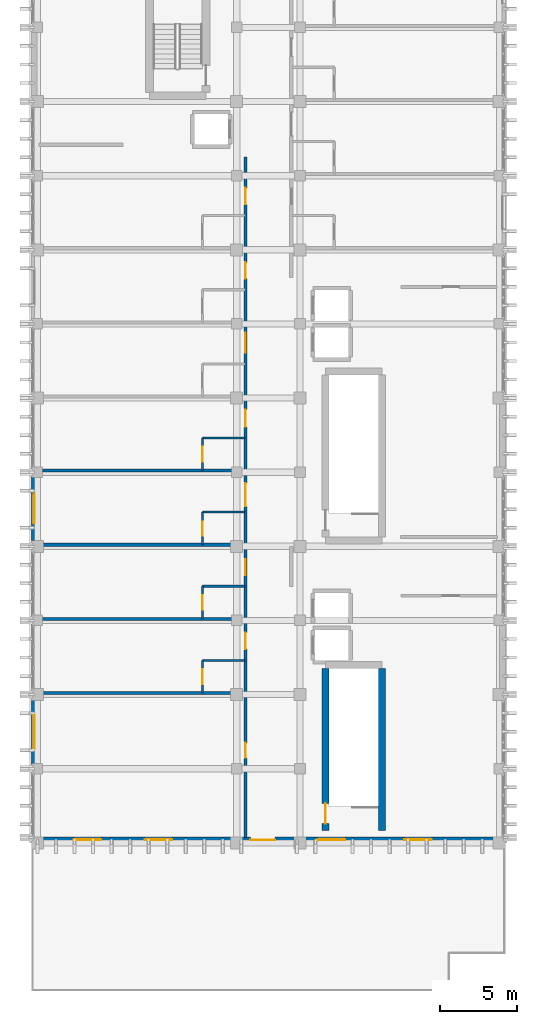
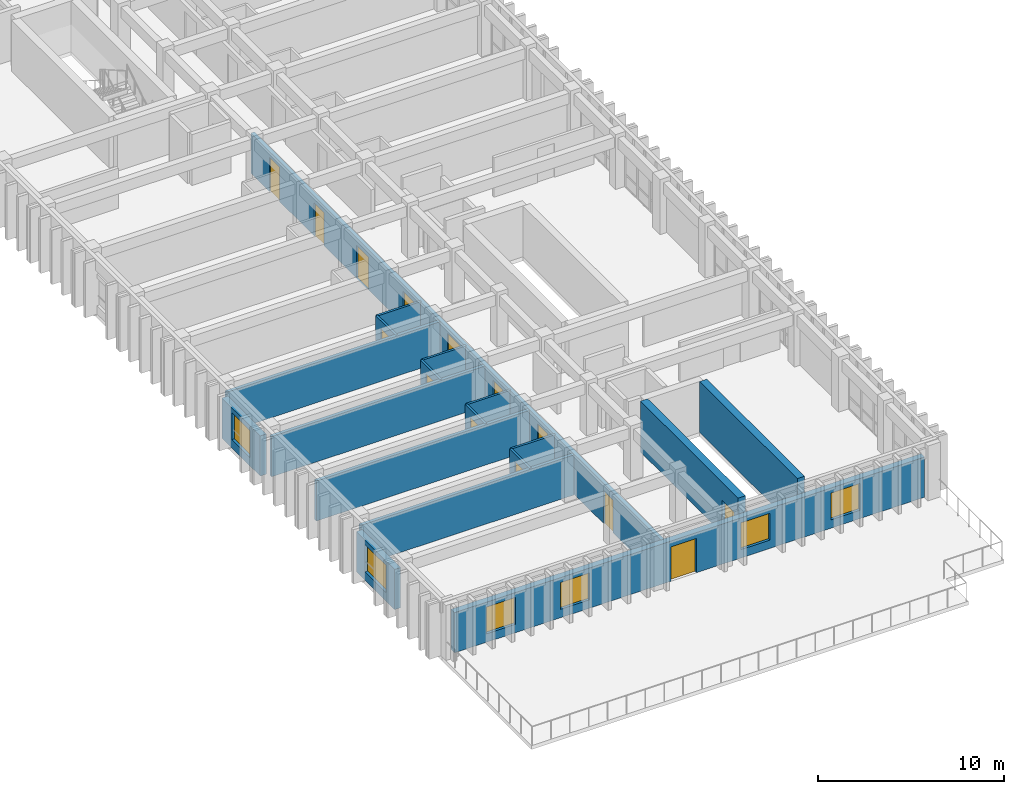
# One storey, part 55 of 68: 18 walls, 14 doors, 6 windows, 20 openings.
"""IFC4 building model written with IfcOpenShell, lengths in metres."""

from ifc_helpers import new_model, si_unit, direction, frame, frame_2d, origin, place, context, subcontext, project, spatial, rectangle, extrude, material, layer, layer_set, type_object, element, fill, save


model = new_model("IFC4")

# Units and contexts
model_context = context("Model", 3, precision=1e-05, world=origin(), true_north=direction((0.0, 1.0)))
body_context = subcontext(model_context, "Body", "Model", "MODEL_VIEW")
ifc_project = project(units=[si_unit("LENGTHUNIT", "METRE"), si_unit("AREAUNIT", "SQUARE_METRE"), si_unit("VOLUMEUNIT", "CUBIC_METRE"), si_unit("PLANEANGLEUNIT", "RADIAN"), si_unit("MASSUNIT", "GRAM", prefix="KILO")], contexts=[model_context])

# Site, building, storey
site_placement = place(None, origin())
site = spatial("IfcSite", under=ifc_project, at=site_placement, CompositionType="ELEMENT")
building_placement = place(site_placement, origin())
building = spatial("IfcBuilding", under=site, at=building_placement, Name="Nakhvara Creek Congress Hotel", CompositionType="ELEMENT")
storey_placement = place(building_placement, frame((0.0, 0.0, 24.60009765625)))
storey = spatial("IfcBuildingStorey", under=building, at=storey_placement, Name="L05", CompositionType="ELEMENT", Elevation=24.60009765625)

# Wall, opening, door
ifc_material_1 = material(Name="Concrete C50/60", Category="concrete")
ifc_layer_1 = layer(ifc_material_1, 0.449951171875)
ifc_layer_set_1 = layer_set([ifc_layer_1], Name="Concrete C50/60")
wall_type_1 = type_object("IfcWallType", Name="W-CORE-450", PredefinedType="SHEAR", material=ifc_layer_set_1)
wall_1_placement = place(storey_placement, frame((168.10009765625, 29.60009765625, 0.0), z_axis=(0.0, 0.0, 1.0), x_axis=(0.0, 1.0, 0.0)))
wall_1 = element("IfcWall", 1, at=wall_1_placement, inside=storey, type_object=wall_type_1, Name="Core Shear Wall WS02-CWALL-L05-0612", PredefinedType="SHEAR", context=body_context, shape_type="SweptSolid", body=[
    extrude(rectangle(XDim=10.5, YDim=0.449951171875, at=frame_2d((5.25, 0.0))), origin(), (0.0, 0.0, 1.0), 3.33984375),
])
opening_1_placement = place(wall_1_placement, frame((0.449951171875, 0.0, 0.0)))
opening_1 = element("IfcOpeningElement", 2, at=opening_1_placement, cuts=wall_1, Name="Opening FD04", PredefinedType="OPENING", context=body_context, shape_type="SweptSolid", body=[
    extrude(rectangle(XDim=1.300048828125, YDim=2.14990234375, at=frame_2d((0.64990234375, 1.074951171875))), frame((0.0, 0.23681640625, 0.0), z_axis=(0.0, -1.0, 0.0), x_axis=(1.0, 0.0, 0.0)), (0.0, 0.0, 1.0), 0.473876953125),
])
ifc_material_2 = material(Name="Powder-coated steel fire door", Category="steel")
door_type_1 = type_object("IfcDoorType", Name="DT-STAIR-130", OperationType="NOTDEFINED", PredefinedType="DOOR", material=ifc_material_2)
door_1_placement = place(opening_1_placement, origin())
door_1 = element("IfcDoor", 3, at=door_1_placement, inside=storey, type_object=door_type_1, Name="Stair Exit Door ST03-L05", OperationType="SINGLE_SWING_RIGHT", OverallHeight=2.14990234375, OverallWidth=1.300048828125, PredefinedType="DOOR", context=body_context, shape_type="SweptSolid", body=[
    extrude(rectangle(XDim=1.300048828125, YDim=2.14990234375, at=frame_2d((0.64990234375, 1.074951171875))), frame((0.0, 0.02490234375, 0.0), z_axis=(0.0, -1.0, 0.0), x_axis=(1.0, 0.0, 0.0)), (0.0, 0.0, 1.0), 0.050048828125),
])
fill(opening_1, door_1)

# Wall
wall_2_placement = place(storey_placement, frame((171.77001953125, 29.60009765625, 0.0), z_axis=(0.0, 0.0, 1.0), x_axis=(0.0, 1.0, 0.0)))
element("IfcWall", 4, at=wall_2_placement, inside=storey, type_object=wall_type_1, Name="Core Shear Wall WS02-CWALL-L05-0613", PredefinedType="SHEAR", context=body_context, shape_type="SweptSolid", body=[
    extrude(rectangle(XDim=10.5, YDim=0.449951171875, at=frame_2d((5.25, 0.0))), origin(), (0.0, 0.0, 1.0), 3.33984375),
])

# Wall, openings, doors
ifc_material_3 = material(Name="Gypsum acoustic board on steel stud", Category="steel")
ifc_layer_2 = layer(ifc_material_3, 0.219970703125)
ifc_layer_set_2 = layer_set([ifc_layer_2], Name="Gypsum acoustic board on steel stud")
wall_type_2 = type_object("IfcWallType", Name="W-CORR-220", PredefinedType="PARTITIONING", material=ifc_layer_set_2)
wall_3_placement = place(storey_placement, frame((162.919921875, 29.14990234375, 0.0), z_axis=(0.0, 0.0, 1.0), x_axis=(0.0, 1.0, 0.0)))
wall_3 = element("IfcWall", 5, at=wall_3_placement, inside=storey, type_object=wall_type_2, Name="Interior Wall WP11-IW-L05-0367", PredefinedType="PARTITIONING", context=body_context, shape_type="SweptSolid", body=[
    extrude(rectangle(XDim=44.050048828125, YDim=0.219970703125, at=frame_2d((22.02490234375, 0.0))), origin(), (0.0, 0.0, 1.0), 2.6318359375),
])
opening_2_placement = place(wall_3_placement, frame((5.14990234375, 0.0, 0.0)))
opening_2 = element("IfcOpeningElement", 6, at=opening_2_placement, cuts=wall_3, Name="Opening MD03", PredefinedType="OPENING", context=body_context, shape_type="SweptSolid", body=[
    extrude(rectangle(XDim=0.97998046875, YDim=2.14990234375, at=frame_2d((0.489990234375, 1.074951171875))), frame((0.0, 0.1220703125, 0.0), z_axis=(0.0, -1.0, 0.0), x_axis=(1.0, 0.0, 0.0)), (0.0, 0.0, 1.0), 0.243896484375),
])
opening_3_placement = place(wall_3_placement, frame((12.18798828125, 0.0, 0.0)))
opening_3 = element("IfcOpeningElement", 7, at=opening_3_placement, cuts=wall_3, Name="Opening GD02", PredefinedType="OPENING", context=body_context, shape_type="SweptSolid", body=[
    extrude(rectangle(XDim=1.080078125, YDim=2.25, at=frame_2d((0.5400390625, 1.125))), frame((0.0, 0.1220703125, 0.0), z_axis=(0.0, -1.0, 0.0), x_axis=(1.0, 0.0, 0.0)), (0.0, 0.0, 1.0), 0.243896484375),
])
opening_4_placement = place(wall_3_placement, frame((16.988037109375, 0.0, 0.0)))
opening_4 = element("IfcOpeningElement", 8, at=opening_4_placement, cuts=wall_3, Name="Opening GD01", PredefinedType="OPENING", context=body_context, shape_type="SweptSolid", body=[
    extrude(rectangle(XDim=1.02001953125, YDim=2.199951171875, at=frame_2d((0.510009765625, 1.10009765625))), frame((0.0, 0.1220703125, 0.0), z_axis=(0.0, -1.0, 0.0), x_axis=(1.0, 0.0, 0.0)), (0.0, 0.0, 1.0), 0.243896484375),
])
opening_5_placement = place(wall_3_placement, frame((21.43798828125, 0.0, 0.0)))
opening_5 = element("IfcOpeningElement", 9, at=opening_5_placement, cuts=wall_3, Name="Opening GD03", PredefinedType="OPENING", context=body_context, shape_type="SweptSolid", body=[
    extrude(rectangle(XDim=1.5, YDim=2.300048828125, at=frame_2d((0.75, 1.14990234375))), frame((0.0, 0.1220703125, 0.0), z_axis=(0.0, -1.0, 0.0), x_axis=(1.0, 0.0, 0.0)), (0.0, 0.0, 1.0), 0.243896484375),
])
opening_6_placement = place(wall_3_placement, frame((26.587890625, 0.0, 0.0)))
opening_6 = element("IfcOpeningElement", 10, at=opening_6_placement, cuts=wall_3, Name="Opening BD01", PredefinedType="OPENING", context=body_context, shape_type="SweptSolid", body=[
    extrude(rectangle(XDim=1.1201171875, YDim=2.14990234375, at=frame_2d((0.56005859375, 1.074951171875))), frame((0.0, 0.1220703125, 0.0), z_axis=(0.0, -1.0, 0.0), x_axis=(1.0, 0.0, 0.0)), (0.0, 0.0, 1.0), 0.243896484375),
])
opening_7_placement = place(wall_3_placement, frame((31.387939453125, 0.0, 0.0)))
opening_7 = element("IfcOpeningElement", 11, at=opening_7_placement, cuts=wall_3, Name="Opening ID07", PredefinedType="OPENING", context=body_context, shape_type="SweptSolid", body=[
    extrude(rectangle(XDim=1.280029296875, YDim=2.159912109375, at=frame_2d((0.64013671875, 1.080078125))), frame((0.0, 0.1220703125, 0.0), z_axis=(0.0, -1.0, 0.0), x_axis=(1.0, 0.0, 0.0)), (0.0, 0.0, 1.0), 0.243896484375),
])
opening_8_placement = place(wall_3_placement, frame((36.18798828125, 0.0, 0.0)))
opening_8 = element("IfcOpeningElement", 12, at=opening_8_placement, cuts=wall_3, Name="Opening ID04", PredefinedType="OPENING", context=body_context, shape_type="SweptSolid", body=[
    extrude(rectangle(XDim=1.050048828125, YDim=2.179931640625, at=frame_2d((0.52490234375, 1.08984375))), frame((0.0, 0.1220703125, 0.0), z_axis=(0.0, -1.0, 0.0), x_axis=(1.0, 0.0, 0.0)), (0.0, 0.0, 1.0), 0.243896484375),
])
opening_9_placement = place(wall_3_placement, frame((40.988037109375, 0.0, 0.0)))
opening_9 = element("IfcOpeningElement", 13, at=opening_9_placement, cuts=wall_3, Name="Opening GD02", PredefinedType="OPENING", context=body_context, shape_type="SweptSolid", body=[
    extrude(rectangle(XDim=1.080078125, YDim=2.25, at=frame_2d((0.5400390625, 1.125))), frame((0.0, 0.1220703125, 0.0), z_axis=(0.0, -1.0, 0.0), x_axis=(1.0, 0.0, 0.0)), (0.0, 0.0, 1.0), 0.243896484375),
])
ifc_material_4 = material(Name="Brushed stainless-clad BOH door")
door_type_2 = type_object("IfcDoorType", Name="DT-BOH-128", OperationType="NOTDEFINED", PredefinedType="DOOR", material=ifc_material_4)
door_2_placement = place(opening_7_placement, frame((1.280029296875, 0.0, 0.0), z_axis=(0.0, 0.0, 1.0), x_axis=(-1.0, 0.0, 0.0)))
door_2 = element("IfcDoor", 14, at=door_2_placement, inside=storey, type_object=door_type_2, Name="Interior Door ID07-0316", OperationType="SINGLE_SWING_LEFT", OverallHeight=2.159912109375, OverallWidth=1.280029296875, PredefinedType="DOOR", context=body_context, shape_type="SweptSolid", body=[
    extrude(rectangle(XDim=1.280029296875, YDim=2.159912109375, at=frame_2d((0.64013671875, 1.080078125))), frame((0.0, 0.02490234375, 0.0), z_axis=(0.0, -1.0, 0.0), x_axis=(1.0, 0.0, 0.0)), (0.0, 0.0, 1.0), 0.050048828125),
])
fill(opening_7, door_2)
ifc_material_5 = material(Name="Walnut hardwood timber fire door", Category="wood")
door_type_3 = type_object("IfcDoorType", Name="DT-GUEST-102", OperationType="NOTDEFINED", PredefinedType="DOOR", material=ifc_material_5)
door_3_placement = place(opening_4_placement, frame((1.02001953125, 0.0, 0.0), z_axis=(0.0, 0.0, 1.0), x_axis=(-1.0, 0.0, 0.0)))
door_3 = element("IfcDoor", 15, at=door_3_placement, inside=storey, type_object=door_type_3, Name="Interior Door GD01-0310", OperationType="SINGLE_SWING_LEFT", OverallHeight=2.199951171875, OverallWidth=1.02001953125, PredefinedType="DOOR", context=body_context, shape_type="SweptSolid", body=[
    extrude(rectangle(XDim=1.02001953125, YDim=2.199951171875, at=frame_2d((0.510009765625, 1.10009765625))), frame((0.0, 0.02490234375, 0.0), z_axis=(0.0, -1.0, 0.0), x_axis=(1.0, 0.0, 0.0)), (0.0, 0.0, 1.0), 0.050048828125),
])
fill(opening_4, door_3)
door_type_4 = type_object("IfcDoorType", Name="DT-GUEST-108", OperationType="NOTDEFINED", PredefinedType="DOOR", material=ifc_material_5)
door_4_placement = place(opening_3_placement, frame((1.080078125, 0.0, 0.0), z_axis=(0.0, 0.0, 1.0), x_axis=(-1.0, 0.0, 0.0)))
door_4 = element("IfcDoor", 16, at=door_4_placement, inside=storey, type_object=door_type_4, Name="Interior Door GD02-0308", OperationType="SINGLE_SWING_LEFT", OverallHeight=2.25, OverallWidth=1.080078125, PredefinedType="DOOR", context=body_context, shape_type="SweptSolid", body=[
    extrude(rectangle(XDim=1.080078125, YDim=2.25, at=frame_2d((0.5400390625, 1.125))), frame((0.0, 0.02490234375, 0.0), z_axis=(0.0, -1.0, 0.0), x_axis=(1.0, 0.0, 0.0)), (0.0, 0.0, 1.0), 0.050048828125),
])
fill(opening_3, door_4)
door_5_placement = place(opening_9_placement, frame((1.080078125, 0.0, 0.0), z_axis=(0.0, 0.0, 1.0), x_axis=(-1.0, 0.0, 0.0)))
door_5 = element("IfcDoor", 17, at=door_5_placement, inside=storey, type_object=door_type_4, Name="Interior Door GD02-0320", OperationType="SINGLE_SWING_LEFT", OverallHeight=2.25, OverallWidth=1.080078125, PredefinedType="DOOR", context=body_context, shape_type="SweptSolid", body=[
    extrude(rectangle(XDim=1.080078125, YDim=2.25, at=frame_2d((0.5400390625, 1.125))), frame((0.0, 0.02490234375, 0.0), z_axis=(0.0, -1.0, 0.0), x_axis=(1.0, 0.0, 0.0)), (0.0, 0.0, 1.0), 0.050048828125),
])
fill(opening_9, door_5)
ifc_material_6 = material(Name="Hardwood-faced service fire door", Category="wood")
door_type_5 = type_object("IfcDoorType", Name="DT-HK-112", OperationType="NOTDEFINED", PredefinedType="DOOR", material=ifc_material_6)
door_6_placement = place(opening_6_placement, frame((1.1201171875, 0.0, 0.0), z_axis=(0.0, 0.0, 1.0), x_axis=(-1.0, 0.0, 0.0)))
door_6 = element("IfcDoor", 18, at=door_6_placement, inside=storey, type_object=door_type_5, Name="Interior Door BD01-0314", OperationType="SINGLE_SWING_LEFT", OverallHeight=2.14990234375, OverallWidth=1.1201171875, PredefinedType="DOOR", context=body_context, shape_type="SweptSolid", body=[
    extrude(rectangle(XDim=1.1201171875, YDim=2.14990234375, at=frame_2d((0.56005859375, 1.074951171875))), frame((0.0, 0.02490234375, 0.0), z_axis=(0.0, -1.0, 0.0), x_axis=(1.0, 0.0, 0.0)), (0.0, 0.0, 1.0), 0.050048828125),
])
fill(opening_6, door_6)
ifc_material_7 = material(Name="Acoustic ISO 2603 sound-lock timber door", Category="wood")
door_type_6 = type_object("IfcDoorType", Name="DT-ISO-098", OperationType="NOTDEFINED", PredefinedType="DOOR", material=ifc_material_7)
door_7_placement = place(opening_2_placement, frame((0.97998046875, 0.0, 0.0), z_axis=(0.0, 0.0, 1.0), x_axis=(-1.0, 0.0, 0.0)))
door_7 = element("IfcDoor", 19, at=door_7_placement, inside=storey, type_object=door_type_6, Name="Interior Door MD03-0302", OperationType="SINGLE_SWING_LEFT", OverallHeight=2.14990234375, OverallWidth=0.97998046875, PredefinedType="DOOR", context=body_context, shape_type="SweptSolid", body=[
    extrude(rectangle(XDim=0.97998046875, YDim=2.14990234375, at=frame_2d((0.489990234375, 1.074951171875))), frame((0.0, 0.02490234375, 0.0), z_axis=(0.0, -1.0, 0.0), x_axis=(1.0, 0.0, 0.0)), (0.0, 0.0, 1.0), 0.050048828125),
])
fill(opening_2, door_7)
ifc_material_8 = material(Name="Teak timber & frosted glass spa door", Category="wood")
door_type_7 = type_object("IfcDoorType", Name="DT-SPA-105", OperationType="NOTDEFINED", PredefinedType="DOOR", material=ifc_material_8)
door_8_placement = place(opening_8_placement, frame((1.050048828125, 0.0, 0.0), z_axis=(0.0, 0.0, 1.0), x_axis=(-1.0, 0.0, 0.0)))
door_8 = element("IfcDoor", 20, at=door_8_placement, inside=storey, type_object=door_type_7, Name="Interior Door ID04-0318", OperationType="SINGLE_SWING_LEFT", OverallHeight=2.179931640625, OverallWidth=1.050048828125, PredefinedType="DOOR", context=body_context, shape_type="SweptSolid", body=[
    extrude(rectangle(XDim=1.050048828125, YDim=2.179931640625, at=frame_2d((0.52490234375, 1.08984375))), frame((0.0, 0.02490234375, 0.0), z_axis=(0.0, -1.0, 0.0), x_axis=(1.0, 0.0, 0.0)), (0.0, 0.0, 1.0), 0.050048828125),
])
fill(opening_8, door_8)
ifc_material_9 = material(Name="Walnut hardwood double fire door", Category="wood")
door_type_8 = type_object("IfcDoorType", Name="DT-SUITE-150", OperationType="DOUBLE_DOOR_SINGLE_SWING", PredefinedType="DOOR", material=ifc_material_9)
door_9_placement = place(opening_5_placement, frame((1.5, 0.0, 0.0), z_axis=(0.0, 0.0, 1.0), x_axis=(-1.0, 0.0, 0.0)))
door_9 = element("IfcDoor", 21, at=door_9_placement, inside=storey, type_object=door_type_8, Name="Interior Door GD03-0312", OperationType="DOUBLE_DOOR_SINGLE_SWING", OverallHeight=2.300048828125, OverallWidth=1.5, PredefinedType="DOOR", context=body_context, shape_type="SweptSolid", body=[
    extrude(rectangle(XDim=1.5, YDim=2.300048828125, at=frame_2d((0.75, 1.14990234375))), frame((0.0, 0.02490234375, 0.0), z_axis=(0.0, -1.0, 0.0), x_axis=(1.0, 0.0, 0.0)), (0.0, 0.0, 1.0), 0.050048828125),
])
fill(opening_5, door_9)

# Wall, opening, door
ifc_material_10 = material(Name="Moisture-resistant gypsum board partition")
ifc_layer_3 = layer(ifc_material_10, 0.139892578125)
ifc_layer_set_3 = layer_set([ifc_layer_3], Name="Moisture-resistant gypsum board partition")
wall_type_3 = type_object("IfcWallType", Name="W-ENS-140", PredefinedType="PARTITIONING", material=ifc_layer_set_3)
wall_4_placement = place(storey_placement, frame((160.1298828125, 38.5, 0.0), z_axis=(0.0, 0.0, 1.0), x_axis=(0.0, 1.0, 0.0)))
wall_4 = element("IfcWall", 22, at=wall_4_placement, inside=storey, type_object=wall_type_3, Name="Interior Wall WP15-IW-L05-0383", PredefinedType="PARTITIONING", context=body_context, shape_type="SweptSolid", body=[
    extrude(rectangle(XDim=2.115966796875, YDim=0.139892578125, at=frame_2d((1.05810546875, 0.0))), origin(), (0.0, 0.0, 1.0), 2.6318359375),
])
opening_10_placement = place(wall_4_placement, frame((0.5830078125, 0.0, 0.0)))
opening_10 = element("IfcOpeningElement", 23, at=opening_10_placement, cuts=wall_4, Name="Opening ID02", PredefinedType="OPENING", context=body_context, shape_type="SweptSolid", body=[
    extrude(rectangle(XDim=0.9599609375, YDim=2.1201171875, at=frame_2d((0.47998046875, 1.06005859375))), frame((0.0, 0.08203125, 0.0), z_axis=(0.0, -1.0, 0.0), x_axis=(1.0, 0.0, 0.0)), (0.0, 0.0, 1.0), 0.163818359375),
])
ifc_material_11 = material(Name="Moisture-resistant walnut timber door", Category="wood")
door_type_9 = type_object("IfcDoorType", Name="DT-ENS-096", OperationType="NOTDEFINED", PredefinedType="DOOR", material=ifc_material_11)
door_10_placement = place(opening_10_placement, origin())
door_10 = element("IfcDoor", 24, at=door_10_placement, inside=storey, type_object=door_type_9, Name="Interior Door ID02-0309", OperationType="SINGLE_SWING_RIGHT", OverallHeight=2.1201171875, OverallWidth=0.9599609375, PredefinedType="DOOR", context=body_context, shape_type="SweptSolid", body=[
    extrude(rectangle(XDim=0.9599609375, YDim=2.1201171875, at=frame_2d((0.47998046875, 1.06005859375))), frame((0.0, 0.02490234375, 0.0), z_axis=(0.0, -1.0, 0.0), x_axis=(1.0, 0.0, 0.0)), (0.0, 0.0, 1.0), 0.050048828125),
])
fill(opening_10, door_10)

# Wall
wall_5_placement = place(storey_placement, frame((160.1298828125, 40.615966796875, 0.0), z_axis=(0.0, 0.0, 1.0), x_axis=(1.0, 0.0, 0.0)))
element("IfcWall", 25, at=wall_5_placement, inside=storey, type_object=wall_type_3, Name="Interior Wall WP15-IW-L05-0384", PredefinedType="PARTITIONING", context=body_context, shape_type="SweptSolid", body=[
    extrude(rectangle(XDim=2.75, YDim=0.139892578125, at=frame_2d((1.375, 0.0))), origin(), (0.0, 0.0, 1.0), 2.6318359375),
])

# Wall, opening, door
wall_6_placement = place(storey_placement, frame((160.1298828125, 43.300048828125, 0.0), z_axis=(0.0, 0.0, 1.0), x_axis=(0.0, 1.0, 0.0)))
wall_6 = element("IfcWall", 26, at=wall_6_placement, inside=storey, type_object=wall_type_3, Name="Interior Wall WP15-IW-L05-0386", PredefinedType="PARTITIONING", context=body_context, shape_type="SweptSolid", body=[
    extrude(rectangle(XDim=2.115966796875, YDim=0.139892578125, at=frame_2d((1.05810546875, 0.0))), origin(), (0.0, 0.0, 1.0), 2.6318359375),
])
opening_11_placement = place(wall_6_placement, frame((0.5830078125, 0.0, 0.0)))
opening_11 = element("IfcOpeningElement", 27, at=opening_11_placement, cuts=wall_6, Name="Opening ID02", PredefinedType="OPENING", context=body_context, shape_type="SweptSolid", body=[
    extrude(rectangle(XDim=0.9599609375, YDim=2.1201171875, at=frame_2d((0.47998046875, 1.06005859375))), frame((0.0, 0.08203125, 0.0), z_axis=(0.0, -1.0, 0.0), x_axis=(1.0, 0.0, 0.0)), (0.0, 0.0, 1.0), 0.163818359375),
])
door_11_placement = place(opening_11_placement, origin())
door_11 = element("IfcDoor", 28, at=door_11_placement, inside=storey, type_object=door_type_9, Name="Interior Door ID02-0311", OperationType="SINGLE_SWING_RIGHT", OverallHeight=2.1201171875, OverallWidth=0.9599609375, PredefinedType="DOOR", context=body_context, shape_type="SweptSolid", body=[
    extrude(rectangle(XDim=0.9599609375, YDim=2.1201171875, at=frame_2d((0.47998046875, 1.06005859375))), frame((0.0, 0.02490234375, 0.0), z_axis=(0.0, -1.0, 0.0), x_axis=(1.0, 0.0, 0.0)), (0.0, 0.0, 1.0), 0.050048828125),
])
fill(opening_11, door_11)

# Wall
wall_7_placement = place(storey_placement, frame((160.1298828125, 45.416015625, 0.0), z_axis=(0.0, 0.0, 1.0), x_axis=(1.0, 0.0, 0.0)))
element("IfcWall", 29, at=wall_7_placement, inside=storey, type_object=wall_type_3, Name="Interior Wall WP15-IW-L05-0387", PredefinedType="PARTITIONING", context=body_context, shape_type="SweptSolid", body=[
    extrude(rectangle(XDim=2.75, YDim=0.139892578125, at=frame_2d((1.375, 0.0))), origin(), (0.0, 0.0, 1.0), 2.6318359375),
])

# Wall, opening, door
wall_8_placement = place(storey_placement, frame((160.1298828125, 48.10009765625, 0.0), z_axis=(0.0, 0.0, 1.0), x_axis=(0.0, 1.0, 0.0)))
wall_8 = element("IfcWall", 30, at=wall_8_placement, inside=storey, type_object=wall_type_3, Name="Interior Wall WP15-IW-L05-0389", PredefinedType="PARTITIONING", context=body_context, shape_type="SweptSolid", body=[
    extrude(rectangle(XDim=2.115966796875, YDim=0.139892578125, at=frame_2d((1.05810546875, 0.0))), origin(), (0.0, 0.0, 1.0), 2.6318359375),
])
opening_12_placement = place(wall_8_placement, frame((0.5830078125, 0.0, 0.0)))
opening_12 = element("IfcOpeningElement", 31, at=opening_12_placement, cuts=wall_8, Name="Opening ID01", PredefinedType="OPENING", context=body_context, shape_type="SweptSolid", body=[
    extrude(rectangle(XDim=0.919921875, YDim=2.10009765625, at=frame_2d((0.4599609375, 1.050048828125))), frame((0.0, 0.08203125, 0.0), z_axis=(0.0, -1.0, 0.0), x_axis=(1.0, 0.0, 0.0)), (0.0, 0.0, 1.0), 0.163818359375),
])
door_type_10 = type_object("IfcDoorType", Name="DT-ENS-092", OperationType="NOTDEFINED", PredefinedType="DOOR", material=ifc_material_11)
door_12_placement = place(opening_12_placement, origin())
door_12 = element("IfcDoor", 32, at=door_12_placement, inside=storey, type_object=door_type_10, Name="Interior Door ID01-0313", OperationType="SINGLE_SWING_RIGHT", OverallHeight=2.10009765625, OverallWidth=0.919921875, PredefinedType="DOOR", context=body_context, shape_type="SweptSolid", body=[
    extrude(rectangle(XDim=0.919921875, YDim=2.10009765625, at=frame_2d((0.4599609375, 1.050048828125))), frame((0.0, 0.02490234375, 0.0), z_axis=(0.0, -1.0, 0.0), x_axis=(1.0, 0.0, 0.0)), (0.0, 0.0, 1.0), 0.050048828125),
])
fill(opening_12, door_12)

# Wall
wall_9_placement = place(storey_placement, frame((160.1298828125, 50.216064453125, 0.0), z_axis=(0.0, 0.0, 1.0), x_axis=(1.0, 0.0, 0.0)))
element("IfcWall", 33, at=wall_9_placement, inside=storey, type_object=wall_type_3, Name="Interior Wall WP15-IW-L05-0390", PredefinedType="PARTITIONING", context=body_context, shape_type="SweptSolid", body=[
    extrude(rectangle(XDim=2.75, YDim=0.139892578125, at=frame_2d((1.375, 0.0))), origin(), (0.0, 0.0, 1.0), 2.6318359375),
])

# Wall, opening, door
wall_10_placement = place(storey_placement, frame((160.1298828125, 52.89990234375, 0.0), z_axis=(0.0, 0.0, 1.0), x_axis=(0.0, 1.0, 0.0)))
wall_10 = element("IfcWall", 34, at=wall_10_placement, inside=storey, type_object=wall_type_3, Name="Interior Wall WP15-IW-L05-0392", PredefinedType="PARTITIONING", context=body_context, shape_type="SweptSolid", body=[
    extrude(rectangle(XDim=2.1162109375, YDim=0.139892578125, at=frame_2d((1.05810546875, 0.0))), origin(), (0.0, 0.0, 1.0), 2.6318359375),
])
opening_13_placement = place(wall_10_placement, frame((0.5830078125, 0.0, 0.0)))
opening_13 = element("IfcOpeningElement", 35, at=opening_13_placement, cuts=wall_10, Name="Opening ID02", PredefinedType="OPENING", context=body_context, shape_type="SweptSolid", body=[
    extrude(rectangle(XDim=0.9599609375, YDim=2.1201171875, at=frame_2d((0.47998046875, 1.06005859375))), frame((0.0, 0.08203125, 0.0), z_axis=(0.0, -1.0, 0.0), x_axis=(1.0, 0.0, 0.0)), (0.0, 0.0, 1.0), 0.163818359375),
])
door_13_placement = place(opening_13_placement, origin())
door_13 = element("IfcDoor", 36, at=door_13_placement, inside=storey, type_object=door_type_9, Name="Interior Door ID02-0315", OperationType="SINGLE_SWING_RIGHT", OverallHeight=2.1201171875, OverallWidth=0.9599609375, PredefinedType="DOOR", context=body_context, shape_type="SweptSolid", body=[
    extrude(rectangle(XDim=0.9599609375, YDim=2.1201171875, at=frame_2d((0.47998046875, 1.06005859375))), frame((0.0, 0.02490234375, 0.0), z_axis=(0.0, -1.0, 0.0), x_axis=(1.0, 0.0, 0.0)), (0.0, 0.0, 1.0), 0.050048828125),
])
fill(opening_13, door_13)

# Wall
wall_11_placement = place(storey_placement, frame((160.1298828125, 55.01611328125, 0.0), z_axis=(0.0, 0.0, 1.0), x_axis=(1.0, 0.0, 0.0)))
element("IfcWall", 37, at=wall_11_placement, inside=storey, type_object=wall_type_3, Name="Interior Wall WP15-IW-L05-0393", PredefinedType="PARTITIONING", context=body_context, shape_type="SweptSolid", body=[
    extrude(rectangle(XDim=2.75, YDim=0.139892578125, at=frame_2d((1.375, 0.0))), origin(), (0.0, 0.0, 1.0), 2.6318359375),
])

# Wall, openings, door, windows
ifc_material_12 = material(Name="Honed pale Omani limestone cladding", Category="masonry")
ifc_layer_4 = layer(ifc_material_12, 0.050048828125)
ifc_material_13 = material(Name="Mineral wool thermal insulation")
ifc_layer_5 = layer(ifc_material_13, 0.110107421875)
ifc_material_14 = material(Name="Precast concrete C40/50", Category="concrete")
ifc_layer_6 = layer(ifc_material_14, 0.219970703125)
ifc_layer_set_4 = layer_set([ifc_layer_4, ifc_layer_5, ifc_layer_6], Name="Precast concrete C40/50")
wall_type_4 = type_object("IfcWallType", Name="W-EXT-380", PredefinedType="SOLIDWALL", material=ifc_layer_set_4)
wall_12_placement = place(storey_placement, frame((178.985107421875, 28.989990234375, 0.0), z_axis=(0.0, 0.0, 1.0), x_axis=(-1.0, 0.0, 0.0)))
wall_12 = element("IfcWall", 38, at=wall_12_placement, inside=storey, type_object=wall_type_4, Name="Exterior Wall WE03-EW-L05-0148", PredefinedType="SOLIDWALL", context=body_context, shape_type="SweptSolid", body=[
    extrude(rectangle(XDim=29.170166015625, YDim=0.3798828125, at=frame_2d((14.5849609375, 0.0))), origin(), (0.0, 0.0, 1.0), 2.6318359375),
])
opening_14_placement = place(wall_12_placement, frame((14.14990234375, 0.0, 0.0)))
opening_14 = element("IfcOpeningElement", 39, at=opening_14_placement, cuts=wall_12, Name="Opening TDL05S", PredefinedType="OPENING", context=body_context, shape_type="SweptSolid", body=[
    extrude(rectangle(XDim=1.60009765625, YDim=2.25, at=frame_2d((0.800048828125, 1.125))), frame((0.0, 0.201904296875, 0.0), z_axis=(0.0, -1.0, 0.0), x_axis=(1.0, 0.0, 0.0)), (0.0, 0.0, 1.0), 0.40380859375),
])
opening_15_placement = place(wall_12_placement, frame((4.0, 0.0, 0.550048828125)))
opening_15 = element("IfcOpeningElement", 40, at=opening_15_placement, cuts=wall_12, Name="Opening WN0159", PredefinedType="OPENING", context=body_context, shape_type="SweptSolid", body=[
    extrude(rectangle(XDim=1.800048828125, YDim=1.760009765625, at=frame_2d((0.89990234375, 0.8798828125))), frame((0.0, 0.201904296875, 0.0), z_axis=(0.0, -1.0, 0.0), x_axis=(1.0, 0.0, 0.0)), (0.0, 0.0, 1.0), 0.40380859375),
])
opening_16_placement = place(wall_12_placement, frame((9.60009765625, 0.0, 0.550048828125)))
opening_16 = element("IfcOpeningElement", 41, at=opening_16_placement, cuts=wall_12, Name="Opening WN0160", PredefinedType="OPENING", context=body_context, shape_type="SweptSolid", body=[
    extrude(rectangle(XDim=1.800048828125, YDim=1.760009765625, at=frame_2d((0.89990234375, 0.8798828125))), frame((0.0, 0.201904296875, 0.0), z_axis=(0.0, -1.0, 0.0), x_axis=(1.0, 0.0, 0.0)), (0.0, 0.0, 1.0), 0.40380859375),
])
opening_17_placement = place(wall_12_placement, frame((20.800048828125, 0.0, 0.550048828125)))
opening_17 = element("IfcOpeningElement", 42, at=opening_17_placement, cuts=wall_12, Name="Opening WN0161", PredefinedType="OPENING", context=body_context, shape_type="SweptSolid", body=[
    extrude(rectangle(XDim=1.800048828125, YDim=1.760009765625, at=frame_2d((0.89990234375, 0.8798828125))), frame((0.0, 0.201904296875, 0.0), z_axis=(0.0, -1.0, 0.0), x_axis=(1.0, 0.0, 0.0)), (0.0, 0.0, 1.0), 0.40380859375),
])
opening_18_placement = place(wall_12_placement, frame((25.39990234375, 0.0, 0.550048828125)))
opening_18 = element("IfcOpeningElement", 43, at=opening_18_placement, cuts=wall_12, Name="Opening WN0162", PredefinedType="OPENING", context=body_context, shape_type="SweptSolid", body=[
    extrude(rectangle(XDim=1.800048828125, YDim=1.760009765625, at=frame_2d((0.89990234375, 0.8798828125))), frame((0.0, 0.201904296875, 0.0), z_axis=(0.0, -1.0, 0.0), x_axis=(1.0, 0.0, 0.0)), (0.0, 0.0, 1.0), 0.40380859375),
])
ifc_material_15 = material(Name="Bronze-anodised aluminium and laminated low-E glass", Category="aluminium")
door_type_11 = type_object("IfcDoorType", Name="DT-EXT-TER160", OperationType="DOUBLE_DOOR_SINGLE_SWING", PredefinedType="DOOR", material=ifc_material_15)
door_14_placement = place(opening_14_placement, origin())
door_14 = element("IfcDoor", 44, at=door_14_placement, inside=storey, type_object=door_type_11, Name="Creekside Setback Terrace Door TDL05S", OperationType="DOUBLE_DOOR_SINGLE_SWING", OverallHeight=2.25, OverallWidth=1.60009765625, PredefinedType="DOOR", context=body_context, shape_type="SweptSolid", body=[
    extrude(rectangle(XDim=1.60009765625, YDim=2.25, at=frame_2d((0.800048828125, 1.125))), frame((0.0, 0.02490234375, 0.0), z_axis=(0.0, -1.0, 0.0), x_axis=(1.0, 0.0, 0.0)), (0.0, 0.0, 1.0), 0.050048828125),
])
fill(opening_14, door_14)
ifc_material_16 = material(Name="Thermally broken bronze-anodised aluminium and double-silver low-E insulated glass", Category="aluminium")
window_type_1 = type_object("IfcWindowType", Name="WN-LAN-180X225", PartitioningType="SINGLE_PANEL", PredefinedType="WINDOW", material=ifc_material_16)
window_1_placement = place(opening_15_placement, origin())
window_1 = element("IfcWindow", 45, at=window_1_placement, inside=storey, type_object=window_type_1, Name="Facade Window WN0159", OverallHeight=1.760009765625, OverallWidth=1.800048828125, PartitioningType="SINGLE_PANEL", PredefinedType="WINDOW", context=body_context, shape_type="SweptSolid", body=[
    extrude(rectangle(XDim=1.800048828125, YDim=1.760009765625, at=frame_2d((0.89990234375, 0.8798828125))), frame((0.0, 0.030029296875, 0.0), z_axis=(0.0, -1.0, 0.0), x_axis=(1.0, 0.0, 0.0)), (0.0, 0.0, 1.0), 0.06005859375),
])
fill(opening_15, window_1)
window_2_placement = place(opening_16_placement, origin())
window_2 = element("IfcWindow", 46, at=window_2_placement, inside=storey, type_object=window_type_1, Name="Facade Window WN0160", OverallHeight=1.760009765625, OverallWidth=1.800048828125, PartitioningType="SINGLE_PANEL", PredefinedType="WINDOW", context=body_context, shape_type="SweptSolid", body=[
    extrude(rectangle(XDim=1.800048828125, YDim=1.760009765625, at=frame_2d((0.89990234375, 0.8798828125))), frame((0.0, 0.030029296875, 0.0), z_axis=(0.0, -1.0, 0.0), x_axis=(1.0, 0.0, 0.0)), (0.0, 0.0, 1.0), 0.06005859375),
])
fill(opening_16, window_2)
window_3_placement = place(opening_17_placement, origin())
window_3 = element("IfcWindow", 47, at=window_3_placement, inside=storey, type_object=window_type_1, Name="Facade Window WN0161", OverallHeight=1.760009765625, OverallWidth=1.800048828125, PartitioningType="SINGLE_PANEL", PredefinedType="WINDOW", context=body_context, shape_type="SweptSolid", body=[
    extrude(rectangle(XDim=1.800048828125, YDim=1.760009765625, at=frame_2d((0.89990234375, 0.8798828125))), frame((0.0, 0.030029296875, 0.0), z_axis=(0.0, -1.0, 0.0), x_axis=(1.0, 0.0, 0.0)), (0.0, 0.0, 1.0), 0.06005859375),
])
fill(opening_17, window_3)
window_4_placement = place(opening_18_placement, origin())
window_4 = element("IfcWindow", 48, at=window_4_placement, inside=storey, type_object=window_type_1, Name="Facade Window WN0162", OverallHeight=1.760009765625, OverallWidth=1.800048828125, PartitioningType="SINGLE_PANEL", PredefinedType="WINDOW", context=body_context, shape_type="SweptSolid", body=[
    extrude(rectangle(XDim=1.800048828125, YDim=1.760009765625, at=frame_2d((0.89990234375, 0.8798828125))), frame((0.0, 0.030029296875, 0.0), z_axis=(0.0, -1.0, 0.0), x_axis=(1.0, 0.0, 0.0)), (0.0, 0.0, 1.0), 0.06005859375),
])
fill(opening_18, window_4)

# Wall, opening, window
wall_13_placement = place(storey_placement, frame((149.239990234375, 33.9150390625, 0.0), z_axis=(0.0, 0.0, 1.0), x_axis=(0.0, 1.0, 0.0)))
wall_13 = element("IfcWall", 49, at=wall_13_placement, inside=storey, type_object=wall_type_4, Name="Exterior Wall WE03-EW-L05-0149", PredefinedType="SOLIDWALL", context=body_context, shape_type="SweptSolid", body=[
    extrude(rectangle(XDim=4.119873046875, YDim=0.3798828125, at=frame_2d((2.06005859375, 0.0))), origin(), (0.0, 0.0, 1.0), 2.6318359375),
])
opening_19_placement = place(wall_13_placement, frame((0.93505859375, 0.0, 0.550048828125)))
opening_19 = element("IfcOpeningElement", 50, at=opening_19_placement, cuts=wall_13, Name="Opening WN0163", PredefinedType="OPENING", context=body_context, shape_type="SweptSolid", body=[
    extrude(rectangle(XDim=2.25, YDim=1.7900390625, at=frame_2d((1.125, 0.89501953125))), frame((0.0, 0.201904296875, 0.0), z_axis=(0.0, -1.0, 0.0), x_axis=(1.0, 0.0, 0.0)), (0.0, 0.0, 1.0), 0.40380859375),
])
window_type_2 = type_object("IfcWindowType", Name="WN-LAN-225X235", PartitioningType="SINGLE_PANEL", PredefinedType="WINDOW", material=ifc_material_16)
window_5_placement = place(opening_19_placement, origin())
window_5 = element("IfcWindow", 51, at=window_5_placement, inside=storey, type_object=window_type_2, Name="Facade Window WN0163", OverallHeight=1.7900390625, OverallWidth=2.25, PartitioningType="SINGLE_PANEL", PredefinedType="WINDOW", context=body_context, shape_type="SweptSolid", body=[
    extrude(rectangle(XDim=2.25, YDim=1.7900390625, at=frame_2d((1.125, 0.89501953125))), frame((0.0, 0.030029296875, 0.0), z_axis=(0.0, -1.0, 0.0), x_axis=(1.0, 0.0, 0.0)), (0.0, 0.0, 1.0), 0.06005859375),
])
fill(opening_19, window_5)

wall_14_placement = place(storey_placement, frame((149.239990234375, 48.364990234375, 0.0), z_axis=(0.0, 0.0, 1.0), x_axis=(0.0, 1.0, 0.0)))
wall_14 = element("IfcWall", 52, at=wall_14_placement, inside=storey, type_object=wall_type_4, Name="Exterior Wall WE03-EW-L05-0151", PredefinedType="SOLIDWALL", context=body_context, shape_type="SweptSolid", body=[
    extrude(rectangle(XDim=4.1201171875, YDim=0.3798828125, at=frame_2d((2.06005859375, 0.0))), origin(), (0.0, 0.0, 1.0), 2.6318359375),
])
opening_20_placement = place(wall_14_placement, frame((1.0849609375, 0.0, 0.550048828125)))
opening_20 = element("IfcOpeningElement", 53, at=opening_20_placement, cuts=wall_14, Name="Opening WN0164", PredefinedType="OPENING", context=body_context, shape_type="SweptSolid", body=[
    extrude(rectangle(XDim=1.949951171875, YDim=1.77001953125, at=frame_2d((0.97509765625, 0.885009765625))), frame((0.0, 0.201904296875, 0.0), z_axis=(0.0, -1.0, 0.0), x_axis=(1.0, 0.0, 0.0)), (0.0, 0.0, 1.0), 0.40380859375),
])
window_type_3 = type_object("IfcWindowType", Name="WN-LAN-195X230", PartitioningType="SINGLE_PANEL", PredefinedType="WINDOW", material=ifc_material_16)
window_6_placement = place(opening_20_placement, origin())
window_6 = element("IfcWindow", 54, at=window_6_placement, inside=storey, type_object=window_type_3, Name="Facade Window WN0164", OverallHeight=1.77001953125, OverallWidth=1.949951171875, PartitioningType="SINGLE_PANEL", PredefinedType="WINDOW", context=body_context, shape_type="SweptSolid", body=[
    extrude(rectangle(XDim=1.949951171875, YDim=1.77001953125, at=frame_2d((0.97509765625, 0.885009765625))), frame((0.0, 0.030029296875, 0.0), z_axis=(0.0, -1.0, 0.0), x_axis=(1.0, 0.0, 0.0)), (0.0, 0.0, 1.0), 0.06005859375),
])
fill(opening_20, window_6)

# Walls
ifc_layer_7 = layer(ifc_material_3, 0.199951171875)
ifc_layer_set_5 = layer_set([ifc_layer_7], Name="Gypsum acoustic board on steel stud")
wall_type_5 = type_object("IfcWallType", Name="W-PART-200", PredefinedType="PARTITIONING", material=ifc_layer_set_5)
for number, where, z_axis, x_axis, name in (
    (55, (149.550048828125, 38.5, 0.0), (0.0, 0.0, 1.0), (1.0, 0.0, 0.0), "Interior Wall WP12-IW-L05-0382"),
    (56, (149.550048828125, 43.300048828125, 0.0), (0.0, 0.0, 1.0), (1.0, 0.0, 0.0), "Interior Wall WP12-IW-L05-0385"),
    (57, (149.550048828125, 48.10009765625, 0.0), (0.0, 0.0, 1.0), (1.0, 0.0, 0.0), "Interior Wall WP12-IW-L05-0388"),
    (58, (149.550048828125, 52.89990234375, 0.0), (0.0, 0.0, 1.0), (1.0, 0.0, 0.0), "Interior Wall WP12-IW-L05-0391"),
):
    element("IfcWall", number, at=place(storey_placement, frame(where, z_axis=z_axis, x_axis=x_axis)), inside=storey, type_object=wall_type_5, Name=name, PredefinedType="PARTITIONING", context=body_context, shape_type="SweptSolid", body=[
        extrude(rectangle(XDim=13.22998046875, YDim=0.199951171875, at=frame_2d((6.614990234375, 0.0))), origin(), (0.0, 0.0, 1.0), 2.6318359375),
    ])

save(model, "model.ifc")
